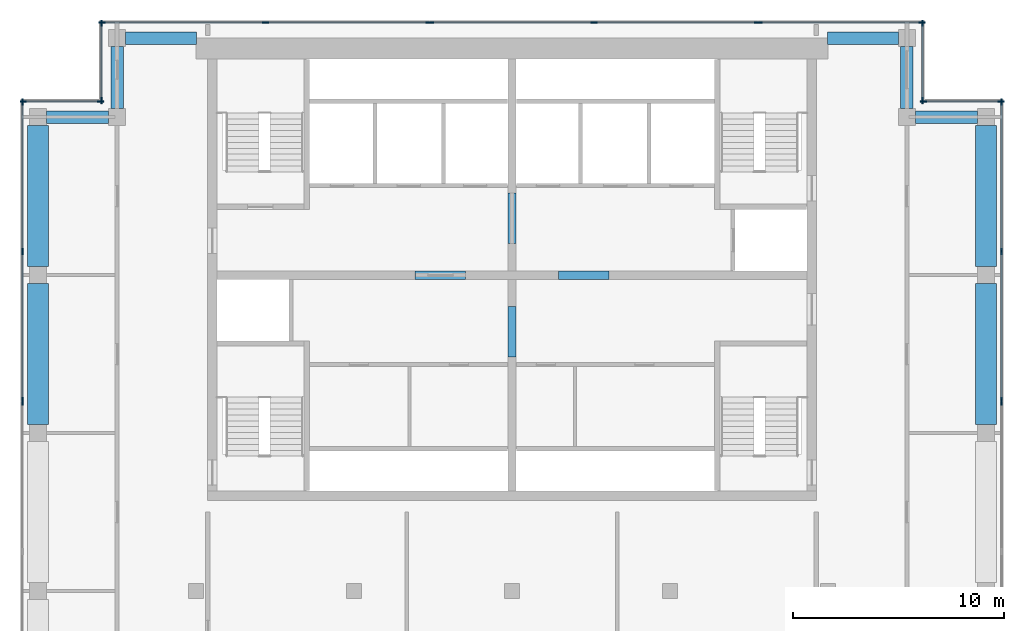
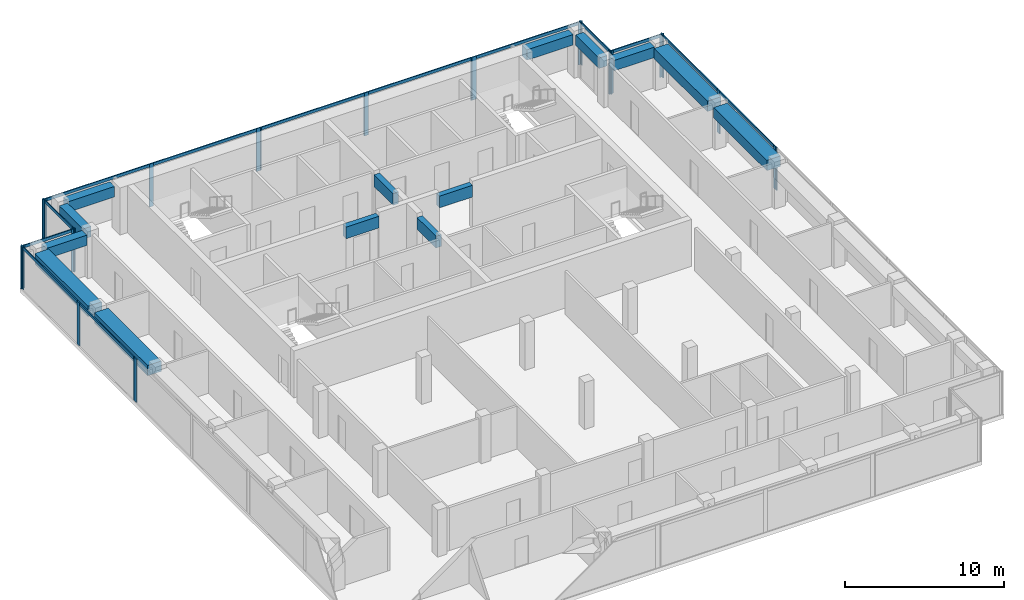
# One storey, part 4 of 9: 37 members, 14 beams, 11 elements without a shape of their own.
"""IFC4 building model written with IfcOpenShell, lengths in metres."""

from ifc_helpers import new_model, si_unit, direction, frame, origin, origin_2d, place, context, subcontext, project, spatial, rectangle, extrude, material, material_profile, profile_set, type_object, element, aggregate, save


model = new_model("IFC4")

# Units and contexts
model_context = context("Model", 3, precision=1e-05, world=origin(), true_north=direction((0.0, 1.0)))
body_context = subcontext(model_context, "Body", "Model", "MODEL_VIEW")
ifc_project = project(units=[si_unit("LENGTHUNIT", "METRE"), si_unit("AREAUNIT", "SQUARE_METRE"), si_unit("VOLUMEUNIT", "CUBIC_METRE"), si_unit("PLANEANGLEUNIT", "RADIAN"), si_unit("MASSUNIT", "GRAM", prefix="KILO")], contexts=[model_context])

# Site, building, storey
site_placement = place(None, origin())
site = spatial("IfcSite", under=ifc_project, at=site_placement, CompositionType="ELEMENT")
building_placement = place(site_placement, origin())
building = spatial("IfcBuilding", under=site, at=building_placement, Name="Pilkhan Gate Tower", CompositionType="ELEMENT")
storey_placement = place(building_placement, frame((0.0, 0.0, 262.10009765625)))
storey = spatial("IfcBuildingStorey", under=building, at=storey_placement, Name="L68", CompositionType="ELEMENT", Elevation=262.10009765625)

# Beams
ifc_material_1 = material(Name="Concrete C50/60", Category="concrete")
ifc_material_profile_1 = material_profile(ifc_material_1, rectangle(XDim=0.39990234375, YDim=0.89990234375, at=origin_2d()), Name="RC 400x900")
ifc_profile_set_1 = profile_set([ifc_material_profile_1], Name="Concrete C50/60")
beam_type_1 = type_object("IfcBeamType", Name="Coupling beam CB90-4 RC 400x900 C50/60", PredefinedType="LINTEL", material=ifc_profile_set_1)
for number, where, z_axis, x_axis, name in (
    (1, (70.39990234375, 82.5, 2.849853515625), (1.0, 0.0, 0.0), (0.0, 1.0, 0.0), "Coupling beam 1 L68"),
    (2, (77.199951171875, 82.5, 2.849853515625), (1.0, 0.0, 0.0), (0.0, 1.0, 0.0), "Coupling beam 2 L68"),
):
    element("IfcBeam", number, at=place(storey_placement, frame(where, z_axis=z_axis, x_axis=x_axis)), inside=storey, type_object=beam_type_1, Name=name, PredefinedType="LINTEL", context=body_context, shape_type="SweptSolid", body=[
        extrude(rectangle(XDim=0.39990234375, YDim=0.89990234375, at=origin_2d()), origin(), (0.0, 0.0, 1.0), 2.400146484375),
    ])
for number, where, z_axis, x_axis, name in (
    (3, (75.0, 78.60009765625, 2.849853515625), (0.0, 1.0, 0.0), (-1.0, 0.0, 0.0), "Coupling beam 3 L68"),
    (4, (75.0, 84.0, 2.849853515625), (0.0, 1.0, 0.0), (-1.0, 0.0, 0.0), "Coupling beam 4 L68"),
):
    element("IfcBeam", number, at=place(storey_placement, frame(where, z_axis=z_axis, x_axis=x_axis)), inside=storey, type_object=beam_type_1, Name=name, PredefinedType="LINTEL", context=body_context, shape_type="SweptSolid", body=[
        extrude(rectangle(XDim=0.39990234375, YDim=0.89990234375, at=origin_2d()), origin(), (0.0, 0.0, 1.0), 2.39990234375),
    ])

# Curtain wall, member
ifc_material_2 = material(Name="Pale anodised aluminium, clear low-iron double glazing", Category="aluminium")
curtain_wall_type = type_object("IfcCurtainWallType", Name="Crown unitised curtain wall CW-C", PredefinedType="USERDEFINED", material=ifc_material_2)
curtain_wall_1_placement = place(storey_placement, origin())
curtain_wall_1 = element("IfcCurtainWall", 5, at=curtain_wall_1_placement, inside=storey, type_object=curtain_wall_type, Name="Crown unitised curtain wall CW-C L68 E", ObjectType="UNITISED CURTAIN WALL", PredefinedType="USERDEFINED")
ifc_material_3 = material(Name="Pale anodised aluminium", Category="aluminium")
ifc_material_profile_2 = material_profile(ifc_material_3, rectangle(XDim=0.074951171875, YDim=0.300048828125, at=origin_2d()), Name="Mullion 300x75")
ifc_profile_set_2 = profile_set([ifc_material_profile_2], Name="Pale anodised aluminium")
member_type_1 = type_object("IfcMemberType", Name="Mullion CW-C 300x75", PredefinedType="MULLION", material=ifc_profile_set_2)
member_1_placement = place(storey_placement, frame((98.25, 76.46240234375, 0.0), z_axis=(0.0, 0.0, 1.0), x_axis=(-1.0, 0.0, 0.0)))
member_1 = element("IfcMember", 6, at=member_1_placement, type_object=member_type_1, Name="CW-C mullion 3", PredefinedType="MULLION", context=body_context, shape_type="SweptSolid", body=[
    extrude(rectangle(XDim=0.074951171875, YDim=0.300048828125, at=origin_2d()), origin(), (0.0, 0.0, 1.0), 3.2998046875),
])
aggregate(curtain_wall_1, [member_1])

# Curtain wall, members
curtain_wall_2_placement = place(storey_placement, origin())
curtain_wall_2 = element("IfcCurtainWall", 7, at=curtain_wall_2_placement, inside=storey, type_object=curtain_wall_type, Name="Crown unitised curtain wall CW-C L68 E", ObjectType="UNITISED CURTAIN WALL", PredefinedType="USERDEFINED")
member_2_placement = place(storey_placement, frame((98.25, 76.53759765625, 0.0), z_axis=(0.0, 0.0, 1.0), x_axis=(-1.0, 0.0, 0.0)))
member_2 = element("IfcMember", 8, at=member_2_placement, type_object=member_type_1, Name="CW-C mullion 1", PredefinedType="MULLION", context=body_context, shape_type="SweptSolid", body=[
    extrude(rectangle(XDim=0.074951171875, YDim=0.300048828125, at=origin_2d()), origin(), (0.0, 0.0, 1.0), 3.2998046875),
])
member_3_placement = place(storey_placement, frame((98.25, 83.625, 0.0), z_axis=(0.0, 0.0, 1.0), x_axis=(-1.0, 0.0, 0.0)))
member_3 = element("IfcMember", 9, at=member_3_placement, type_object=member_type_1, Name="CW-C mullion 2", PredefinedType="MULLION", context=body_context, shape_type="SweptSolid", body=[
    extrude(rectangle(XDim=0.074951171875, YDim=0.300048828125, at=origin_2d()), origin(), (0.0, 0.0, 1.0), 3.2998046875),
])
member_4_placement = place(storey_placement, frame((98.25, 90.71240234375, 0.0), z_axis=(0.0, 0.0, 1.0), x_axis=(-1.0, 0.0, 0.0)))
member_4 = element("IfcMember", 10, at=member_4_placement, type_object=member_type_1, Name="CW-C mullion 3", PredefinedType="MULLION", context=body_context, shape_type="SweptSolid", body=[
    extrude(rectangle(XDim=0.074951171875, YDim=0.300048828125, at=origin_2d()), origin(), (0.0, 0.0, 1.0), 3.2998046875),
])

curtain_wall_3_placement = place(storey_placement, origin())
curtain_wall_3 = element("IfcCurtainWall", 11, at=curtain_wall_3_placement, inside=storey, type_object=curtain_wall_type, Name="Crown unitised curtain wall CW-C L68 N", ObjectType="UNITISED CURTAIN WALL", PredefinedType="USERDEFINED")
member_5_placement = place(storey_placement, frame((94.53759765625, 90.75, 0.0), z_axis=(0.0, 0.0, 1.0), x_axis=(0.0, 1.0, 0.0)))
member_5 = element("IfcMember", 12, at=member_5_placement, type_object=member_type_1, Name="CW-C mullion 1", PredefinedType="MULLION", context=body_context, shape_type="SweptSolid", body=[
    extrude(rectangle(XDim=0.074951171875, YDim=0.300048828125, at=origin_2d()), origin(), (0.0, 0.0, 1.0), 3.2998046875),
])
member_6_placement = place(storey_placement, frame((98.21240234375, 90.75, 0.0), z_axis=(0.0, 0.0, 1.0), x_axis=(0.0, 1.0, 0.0)))
member_6 = element("IfcMember", 13, at=member_6_placement, type_object=member_type_1, Name="CW-C mullion 2", PredefinedType="MULLION", context=body_context, shape_type="SweptSolid", body=[
    extrude(rectangle(XDim=0.074951171875, YDim=0.300048828125, at=origin_2d()), origin(), (0.0, 0.0, 1.0), 3.2998046875),
])

curtain_wall_4_placement = place(storey_placement, origin())
curtain_wall_4 = element("IfcCurtainWall", 14, at=curtain_wall_4_placement, inside=storey, type_object=curtain_wall_type, Name="Crown unitised curtain wall CW-C L68 E", ObjectType="UNITISED CURTAIN WALL", PredefinedType="USERDEFINED")
member_7_placement = place(storey_placement, frame((94.5, 90.78759765625, 0.0), z_axis=(0.0, 0.0, 1.0), x_axis=(-1.0, 0.0, 0.0)))
member_7 = element("IfcMember", 15, at=member_7_placement, type_object=member_type_1, Name="CW-C mullion 1", PredefinedType="MULLION", context=body_context, shape_type="SweptSolid", body=[
    extrude(rectangle(XDim=0.074951171875, YDim=0.300048828125, at=origin_2d()), origin(), (0.0, 0.0, 1.0), 3.2998046875),
])
member_8_placement = place(storey_placement, frame((94.5, 94.46240234375, 0.0), z_axis=(0.0, 0.0, 1.0), x_axis=(-1.0, 0.0, 0.0)))
member_8 = element("IfcMember", 16, at=member_8_placement, type_object=member_type_1, Name="CW-C mullion 2", PredefinedType="MULLION", context=body_context, shape_type="SweptSolid", body=[
    extrude(rectangle(XDim=0.074951171875, YDim=0.300048828125, at=origin_2d()), origin(), (0.0, 0.0, 1.0), 3.2998046875),
])

curtain_wall_5_placement = place(storey_placement, origin())
curtain_wall_5 = element("IfcCurtainWall", 17, at=curtain_wall_5_placement, inside=storey, type_object=curtain_wall_type, Name="Crown unitised curtain wall CW-C L68 N", ObjectType="UNITISED CURTAIN WALL", PredefinedType="USERDEFINED")
member_9_placement = place(storey_placement, frame((55.53759765625, 94.5, 0.0), z_axis=(0.0, 0.0, 1.0), x_axis=(0.0, 1.0, 0.0)))
member_9 = element("IfcMember", 18, at=member_9_placement, type_object=member_type_1, Name="CW-C mullion 1", PredefinedType="MULLION", context=body_context, shape_type="SweptSolid", body=[
    extrude(rectangle(XDim=0.074951171875, YDim=0.300048828125, at=origin_2d()), origin(), (0.0, 0.0, 1.0), 3.2998046875),
])
member_10_placement = place(storey_placement, frame((63.300048828125, 94.5, 0.0), z_axis=(0.0, 0.0, 1.0), x_axis=(0.0, 1.0, 0.0)))
member_10 = element("IfcMember", 19, at=member_10_placement, type_object=member_type_1, Name="CW-C mullion 2", PredefinedType="MULLION", context=body_context, shape_type="SweptSolid", body=[
    extrude(rectangle(XDim=0.074951171875, YDim=0.300048828125, at=origin_2d()), origin(), (0.0, 0.0, 1.0), 3.2998046875),
])
member_11_placement = place(storey_placement, frame((71.0625, 94.5, 0.0), z_axis=(0.0, 0.0, 1.0), x_axis=(0.0, 1.0, 0.0)))
member_11 = element("IfcMember", 20, at=member_11_placement, type_object=member_type_1, Name="CW-C mullion 3", PredefinedType="MULLION", context=body_context, shape_type="SweptSolid", body=[
    extrude(rectangle(XDim=0.074951171875, YDim=0.300048828125, at=origin_2d()), origin(), (0.0, 0.0, 1.0), 3.2998046875),
])

curtain_wall_6_placement = place(storey_placement, origin())
curtain_wall_6 = element("IfcCurtainWall", 21, at=curtain_wall_6_placement, inside=storey, type_object=curtain_wall_type, Name="Crown unitised curtain wall CW-C L68 N", ObjectType="UNITISED CURTAIN WALL", PredefinedType="USERDEFINED")
member_12_placement = place(storey_placement, frame((71.137451171875, 94.5, 0.0), z_axis=(0.0, 0.0, 1.0), x_axis=(0.0, 1.0, 0.0)))
member_12 = element("IfcMember", 22, at=member_12_placement, type_object=member_type_1, Name="CW-C mullion 1", PredefinedType="MULLION", context=body_context, shape_type="SweptSolid", body=[
    extrude(rectangle(XDim=0.074951171875, YDim=0.300048828125, at=origin_2d()), origin(), (0.0, 0.0, 1.0), 3.2998046875),
])
member_13_placement = place(storey_placement, frame((78.89990234375, 94.5, 0.0), z_axis=(0.0, 0.0, 1.0), x_axis=(0.0, 1.0, 0.0)))
member_13 = element("IfcMember", 23, at=member_13_placement, type_object=member_type_1, Name="CW-C mullion 2", PredefinedType="MULLION", context=body_context, shape_type="SweptSolid", body=[
    extrude(rectangle(XDim=0.074951171875, YDim=0.300048828125, at=origin_2d()), origin(), (0.0, 0.0, 1.0), 3.2998046875),
])
member_14_placement = place(storey_placement, frame((86.66259765625, 94.5, 0.0), z_axis=(0.0, 0.0, 1.0), x_axis=(0.0, 1.0, 0.0)))
member_14 = element("IfcMember", 24, at=member_14_placement, type_object=member_type_1, Name="CW-C mullion 3", PredefinedType="MULLION", context=body_context, shape_type="SweptSolid", body=[
    extrude(rectangle(XDim=0.074951171875, YDim=0.300048828125, at=origin_2d()), origin(), (0.0, 0.0, 1.0), 3.2998046875),
])

curtain_wall_7_placement = place(storey_placement, origin())
curtain_wall_7 = element("IfcCurtainWall", 25, at=curtain_wall_7_placement, inside=storey, type_object=curtain_wall_type, Name="Crown unitised curtain wall CW-C L68 N", ObjectType="UNITISED CURTAIN WALL", PredefinedType="USERDEFINED")
member_15_placement = place(storey_placement, frame((86.737548828125, 94.5, 0.0), z_axis=(0.0, 0.0, 1.0), x_axis=(0.0, 1.0, 0.0)))
member_15 = element("IfcMember", 26, at=member_15_placement, type_object=member_type_1, Name="CW-C mullion 1", PredefinedType="MULLION", context=body_context, shape_type="SweptSolid", body=[
    extrude(rectangle(XDim=0.074951171875, YDim=0.300048828125, at=origin_2d()), origin(), (0.0, 0.0, 1.0), 3.2998046875),
])
member_16_placement = place(storey_placement, frame((94.46240234375, 94.5, 0.0), z_axis=(0.0, 0.0, 1.0), x_axis=(0.0, 1.0, 0.0)))
member_16 = element("IfcMember", 27, at=member_16_placement, type_object=member_type_1, Name="CW-C mullion 2", PredefinedType="MULLION", context=body_context, shape_type="SweptSolid", body=[
    extrude(rectangle(XDim=0.074951171875, YDim=0.300048828125, at=origin_2d()), origin(), (0.0, 0.0, 1.0), 3.2998046875),
])

curtain_wall_8_placement = place(storey_placement, origin())
curtain_wall_8 = element("IfcCurtainWall", 28, at=curtain_wall_8_placement, inside=storey, type_object=curtain_wall_type, Name="Crown unitised curtain wall CW-C L68 W", ObjectType="UNITISED CURTAIN WALL", PredefinedType="USERDEFINED")
member_17_placement = place(storey_placement, frame((55.5, 90.78759765625, 0.0), z_axis=(0.0, 0.0, 1.0), x_axis=(-1.0, 0.0, 0.0)))
member_17 = element("IfcMember", 29, at=member_17_placement, type_object=member_type_1, Name="CW-C mullion 1", PredefinedType="MULLION", context=body_context, shape_type="SweptSolid", body=[
    extrude(rectangle(XDim=0.074951171875, YDim=0.300048828125, at=origin_2d()), origin(), (0.0, 0.0, 1.0), 3.2998046875),
])
member_18_placement = place(storey_placement, frame((55.5, 94.46240234375, 0.0), z_axis=(0.0, 0.0, 1.0), x_axis=(-1.0, 0.0, 0.0)))
member_18 = element("IfcMember", 30, at=member_18_placement, type_object=member_type_1, Name="CW-C mullion 2", PredefinedType="MULLION", context=body_context, shape_type="SweptSolid", body=[
    extrude(rectangle(XDim=0.074951171875, YDim=0.300048828125, at=origin_2d()), origin(), (0.0, 0.0, 1.0), 3.2998046875),
])

curtain_wall_9_placement = place(storey_placement, origin())
curtain_wall_9 = element("IfcCurtainWall", 31, at=curtain_wall_9_placement, inside=storey, type_object=curtain_wall_type, Name="Crown unitised curtain wall CW-C L68 N", ObjectType="UNITISED CURTAIN WALL", PredefinedType="USERDEFINED")
member_19_placement = place(storey_placement, frame((51.78759765625, 90.75, 0.0), z_axis=(0.0, 0.0, 1.0), x_axis=(0.0, 1.0, 0.0)))
member_19 = element("IfcMember", 32, at=member_19_placement, type_object=member_type_1, Name="CW-C mullion 1", PredefinedType="MULLION", context=body_context, shape_type="SweptSolid", body=[
    extrude(rectangle(XDim=0.074951171875, YDim=0.300048828125, at=origin_2d()), origin(), (0.0, 0.0, 1.0), 3.2998046875),
])
member_20_placement = place(storey_placement, frame((55.46240234375, 90.75, 0.0), z_axis=(0.0, 0.0, 1.0), x_axis=(0.0, 1.0, 0.0)))
member_20 = element("IfcMember", 33, at=member_20_placement, type_object=member_type_1, Name="CW-C mullion 2", PredefinedType="MULLION", context=body_context, shape_type="SweptSolid", body=[
    extrude(rectangle(XDim=0.074951171875, YDim=0.300048828125, at=origin_2d()), origin(), (0.0, 0.0, 1.0), 3.2998046875),
])

# Curtain wall, member
curtain_wall_10_placement = place(storey_placement, origin())
curtain_wall_10 = element("IfcCurtainWall", 34, at=curtain_wall_10_placement, inside=storey, type_object=curtain_wall_type, Name="Crown unitised curtain wall CW-C L68 W", ObjectType="UNITISED CURTAIN WALL", PredefinedType="USERDEFINED")
member_21_placement = place(storey_placement, frame((51.75, 76.46240234375, 0.0), z_axis=(0.0, 0.0, 1.0), x_axis=(-1.0, 0.0, 0.0)))
member_21 = element("IfcMember", 35, at=member_21_placement, type_object=member_type_1, Name="CW-C mullion 3", PredefinedType="MULLION", context=body_context, shape_type="SweptSolid", body=[
    extrude(rectangle(XDim=0.074951171875, YDim=0.300048828125, at=origin_2d()), origin(), (0.0, 0.0, 1.0), 3.2998046875),
])
aggregate(curtain_wall_10, [member_21])

# Curtain wall, members
curtain_wall_11_placement = place(storey_placement, origin())
curtain_wall_11 = element("IfcCurtainWall", 36, at=curtain_wall_11_placement, inside=storey, type_object=curtain_wall_type, Name="Crown unitised curtain wall CW-C L68 W", ObjectType="UNITISED CURTAIN WALL", PredefinedType="USERDEFINED")
member_22_placement = place(storey_placement, frame((51.75, 76.53759765625, 0.0), z_axis=(0.0, 0.0, 1.0), x_axis=(-1.0, 0.0, 0.0)))
member_22 = element("IfcMember", 37, at=member_22_placement, type_object=member_type_1, Name="CW-C mullion 1", PredefinedType="MULLION", context=body_context, shape_type="SweptSolid", body=[
    extrude(rectangle(XDim=0.074951171875, YDim=0.300048828125, at=origin_2d()), origin(), (0.0, 0.0, 1.0), 3.2998046875),
])
member_23_placement = place(storey_placement, frame((51.75, 83.625, 0.0), z_axis=(0.0, 0.0, 1.0), x_axis=(-1.0, 0.0, 0.0)))
member_23 = element("IfcMember", 38, at=member_23_placement, type_object=member_type_1, Name="CW-C mullion 2", PredefinedType="MULLION", context=body_context, shape_type="SweptSolid", body=[
    extrude(rectangle(XDim=0.074951171875, YDim=0.300048828125, at=origin_2d()), origin(), (0.0, 0.0, 1.0), 3.2998046875),
])
member_24_placement = place(storey_placement, frame((51.75, 90.71240234375, 0.0), z_axis=(0.0, 0.0, 1.0), x_axis=(-1.0, 0.0, 0.0)))
member_24 = element("IfcMember", 39, at=member_24_placement, type_object=member_type_1, Name="CW-C mullion 3", PredefinedType="MULLION", context=body_context, shape_type="SweptSolid", body=[
    extrude(rectangle(XDim=0.074951171875, YDim=0.300048828125, at=origin_2d()), origin(), (0.0, 0.0, 1.0), 3.2998046875),
])

# Beams
ifc_material_profile_3 = material_profile(ifc_material_1, rectangle(XDim=0.60009765625, YDim=0.800048828125, at=origin_2d()), Name="RC 600x800")
ifc_profile_set_3 = profile_set([ifc_material_profile_3], Name="Concrete C50/60")
beam_type_2 = type_object("IfcBeamType", Name="Terrace edge beam TEB RC 600x800 C50/60", PredefinedType="BEAM", material=ifc_profile_set_3)
for number, where, z_axis, x_axis, name in (
    (40, (52.89990234375, 90.0, 2.89990234375), (1.0, 0.0, 0.0), (0.0, 1.0, 0.0), "Terrace edge beam 13 L69"),
    (41, (56.25, 90.39990234375, 2.89990234375), (0.0, 1.0, 0.0), (-1.0, 0.0, 0.0), "Terrace edge beam 14 L69"),
    (42, (93.75, 93.35009765625, 2.89990234375), (0.0, -1.0, 0.0), (1.0, 0.0, 0.0), "Terrace edge beam 15 L69"),
    (43, (94.14990234375, 90.0, 2.89990234375), (1.0, 0.0, 0.0), (0.0, 1.0, 0.0), "Terrace edge beam 16 L69"),
):
    element("IfcBeam", number, at=place(storey_placement, frame(where, z_axis=z_axis, x_axis=x_axis)), inside=storey, type_object=beam_type_2, Name=name, PredefinedType="BEAM", context=body_context, shape_type="SweptSolid", body=[
        extrude(rectangle(XDim=0.60009765625, YDim=0.800048828125, at=origin_2d()), origin(), (0.0, 0.0, 1.0), 2.9501953125),
    ])
ifc_material_profile_4 = material_profile(ifc_material_1, rectangle(XDim=1.0, YDim=0.800048828125, at=origin_2d()), Name="RC 1000x800")
ifc_profile_set_4 = profile_set([ifc_material_profile_4], Name="Concrete C50/60")
beam_type_3 = type_object("IfcBeamType", Name="Terrace edge beam TEB10W RC 1000x800 C50/60", PredefinedType="BEAM", material=ifc_profile_set_4)
for number, where, z_axis, x_axis, name in (
    (44, (52.5, 75.39990234375, 2.89990234375), (0.0, 1.0, 0.0), (-1.0, 0.0, 0.0), "Terrace edge beam 11 L69"),
    (45, (52.5, 82.89990234375, 2.89990234375), (0.0, 1.0, 0.0), (-1.0, 0.0, 0.0), "Terrace edge beam 12 L69"),
    (46, (97.5, 89.60009765625, 2.89990234375), (0.0, -1.0, 0.0), (1.0, 0.0, 0.0), "Terrace edge beam 17 L69"),
    (47, (97.5, 82.10009765625, 2.89990234375), (0.0, -1.0, 0.0), (1.0, 0.0, 0.0), "Terrace edge beam 18 L69"),
):
    element("IfcBeam", number, at=place(storey_placement, frame(where, z_axis=z_axis, x_axis=x_axis)), inside=storey, type_object=beam_type_3, Name=name, PredefinedType="BEAM", context=body_context, shape_type="SweptSolid", body=[
        extrude(rectangle(XDim=1.0, YDim=0.800048828125, at=origin_2d()), origin(), (0.0, 0.0, 1.0), 6.7001953125),
    ])
ifc_material_profile_5 = material_profile(ifc_material_1, rectangle(XDim=0.60009765625, YDim=0.800048828125, at=origin_2d()), Name="RC 600x800")
ifc_profile_set_5 = profile_set([ifc_material_profile_5], Name="Concrete C50/60")
beam_type_4 = type_object("IfcBeamType", Name="Terrace tie beam TTB RC 600x800 C50/60", PredefinedType="BEAM", material=ifc_profile_set_5)
for number, where, z_axis, x_axis, name in (
    (48, (56.64990234375, 93.75, 2.89990234375), (1.0, 0.0, 0.0), (0.0, 1.0, 0.0), "Terrace tie beam 1 L69"),
    (49, (93.35009765625, 93.75, 2.89990234375), (-1.0, 0.0, 0.0), (0.0, -1.0, 0.0), "Terrace tie beam 2 L69"),
):
    element("IfcBeam", number, at=place(storey_placement, frame(where, z_axis=z_axis, x_axis=x_axis)), inside=storey, type_object=beam_type_4, Name=name, PredefinedType="BEAM", context=body_context, shape_type="SweptSolid", body=[
        extrude(rectangle(XDim=0.60009765625, YDim=0.800048828125, at=origin_2d()), origin(), (0.0, 0.0, 1.0), 3.3701171875),
    ])

# Member
ifc_material_profile_6 = material_profile(ifc_material_3, rectangle(XDim=0.074951171875, YDim=0.219970703125, at=origin_2d()), Name="Transom 220x75")
ifc_profile_set_6 = profile_set([ifc_material_profile_6], Name="Pale anodised aluminium")
member_type_2 = type_object("IfcMemberType", Name="Transom CW-C 220x75", PredefinedType="USERDEFINED", material=ifc_profile_set_6)
member_25_placement = place(storey_placement, frame((98.25, 76.574951171875, 3.18994140625), z_axis=(0.0, 1.0, 0.0), x_axis=(-1.0, 0.0, 0.0)))
member_25 = element("IfcMember", 50, at=member_25_placement, type_object=member_type_2, Name="CW-C transom 1", ObjectType="TRANSOM", PredefinedType="USERDEFINED", context=body_context, shape_type="SweptSolid", body=[
    extrude(rectangle(XDim=0.074951171875, YDim=0.219970703125, at=origin_2d()), origin(), (0.0, 0.0, 1.0), 7.012451171875),
])

member_26_placement = place(storey_placement, frame((98.25, 83.66259765625, 3.18994140625), z_axis=(0.0, 1.0, 0.0), x_axis=(-1.0, 0.0, 0.0)))
member_26 = element("IfcMember", 51, at=member_26_placement, type_object=member_type_2, Name="CW-C transom 2", ObjectType="TRANSOM", PredefinedType="USERDEFINED", context=body_context, shape_type="SweptSolid", body=[
    extrude(rectangle(XDim=0.074951171875, YDim=0.219970703125, at=origin_2d()), origin(), (0.0, 0.0, 1.0), 7.012451171875),
])

aggregate(curtain_wall_2, [member_2, member_3, member_4, member_25, member_26])

member_27_placement = place(storey_placement, frame((94.574951171875, 90.75, 3.18994140625), z_axis=(1.0, 0.0, 0.0), x_axis=(0.0, 1.0, 0.0)))
member_27 = element("IfcMember", 52, at=member_27_placement, type_object=member_type_2, Name="CW-C transom 1", ObjectType="TRANSOM", PredefinedType="USERDEFINED", context=body_context, shape_type="SweptSolid", body=[
    extrude(rectangle(XDim=0.074951171875, YDim=0.219970703125, at=origin_2d()), origin(), (0.0, 0.0, 1.0), 3.60009765625),
])

aggregate(curtain_wall_3, [member_5, member_6, member_27])

member_28_placement = place(storey_placement, frame((94.5, 90.824951171875, 3.18994140625), z_axis=(0.0, 1.0, 0.0), x_axis=(-1.0, 0.0, 0.0)))
member_28 = element("IfcMember", 53, at=member_28_placement, type_object=member_type_2, Name="CW-C transom 1", ObjectType="TRANSOM", PredefinedType="USERDEFINED", context=body_context, shape_type="SweptSolid", body=[
    extrude(rectangle(XDim=0.074951171875, YDim=0.219970703125, at=origin_2d()), origin(), (0.0, 0.0, 1.0), 3.60009765625),
])

aggregate(curtain_wall_4, [member_7, member_8, member_28])

member_29_placement = place(storey_placement, frame((55.574951171875, 94.5, 3.18994140625), z_axis=(1.0, 0.0, 0.0), x_axis=(0.0, 1.0, 0.0)))
member_29 = element("IfcMember", 54, at=member_29_placement, type_object=member_type_2, Name="CW-C transom 1", ObjectType="TRANSOM", PredefinedType="USERDEFINED", context=body_context, shape_type="SweptSolid", body=[
    extrude(rectangle(XDim=0.074951171875, YDim=0.219970703125, at=origin_2d()), origin(), (0.0, 0.0, 1.0), 7.6875),
])

member_30_placement = place(storey_placement, frame((63.33740234375, 94.5, 3.18994140625), z_axis=(1.0, 0.0, 0.0), x_axis=(0.0, 1.0, 0.0)))
member_30 = element("IfcMember", 55, at=member_30_placement, type_object=member_type_2, Name="CW-C transom 2", ObjectType="TRANSOM", PredefinedType="USERDEFINED", context=body_context, shape_type="SweptSolid", body=[
    extrude(rectangle(XDim=0.074951171875, YDim=0.219970703125, at=origin_2d()), origin(), (0.0, 0.0, 1.0), 7.6875),
])

aggregate(curtain_wall_5, [member_9, member_10, member_11, member_29, member_30])

member_31_placement = place(storey_placement, frame((71.175048828125, 94.5, 3.18994140625), z_axis=(1.0, 0.0, 0.0), x_axis=(0.0, 1.0, 0.0)))
member_31 = element("IfcMember", 56, at=member_31_placement, type_object=member_type_2, Name="CW-C transom 1", ObjectType="TRANSOM", PredefinedType="USERDEFINED", context=body_context, shape_type="SweptSolid", body=[
    extrude(rectangle(XDim=0.074951171875, YDim=0.219970703125, at=origin_2d()), origin(), (0.0, 0.0, 1.0), 7.6875),
])

member_32_placement = place(storey_placement, frame((78.9375, 94.5, 3.18994140625), z_axis=(1.0, 0.0, 0.0), x_axis=(0.0, 1.0, 0.0)))
member_32 = element("IfcMember", 57, at=member_32_placement, type_object=member_type_2, Name="CW-C transom 2", ObjectType="TRANSOM", PredefinedType="USERDEFINED", context=body_context, shape_type="SweptSolid", body=[
    extrude(rectangle(XDim=0.074951171875, YDim=0.219970703125, at=origin_2d()), origin(), (0.0, 0.0, 1.0), 7.6875),
])

aggregate(curtain_wall_6, [member_12, member_13, member_14, member_31, member_32])

member_33_placement = place(storey_placement, frame((86.77490234375, 94.5, 3.18994140625), z_axis=(1.0, 0.0, 0.0), x_axis=(0.0, 1.0, 0.0)))
member_33 = element("IfcMember", 58, at=member_33_placement, type_object=member_type_2, Name="CW-C transom 1", ObjectType="TRANSOM", PredefinedType="USERDEFINED", context=body_context, shape_type="SweptSolid", body=[
    extrude(rectangle(XDim=0.074951171875, YDim=0.219970703125, at=origin_2d()), origin(), (0.0, 0.0, 1.0), 7.650146484375),
])

aggregate(curtain_wall_7, [member_15, member_16, member_33])

member_34_placement = place(storey_placement, frame((55.5, 90.824951171875, 3.18994140625), z_axis=(0.0, 1.0, 0.0), x_axis=(-1.0, 0.0, 0.0)))
member_34 = element("IfcMember", 59, at=member_34_placement, type_object=member_type_2, Name="CW-C transom 1", ObjectType="TRANSOM", PredefinedType="USERDEFINED", context=body_context, shape_type="SweptSolid", body=[
    extrude(rectangle(XDim=0.074951171875, YDim=0.219970703125, at=origin_2d()), origin(), (0.0, 0.0, 1.0), 3.60009765625),
])

aggregate(curtain_wall_8, [member_17, member_18, member_34])

member_35_placement = place(storey_placement, frame((51.824951171875, 90.75, 3.18994140625), z_axis=(1.0, 0.0, 0.0), x_axis=(0.0, 1.0, 0.0)))
member_35 = element("IfcMember", 60, at=member_35_placement, type_object=member_type_2, Name="CW-C transom 1", ObjectType="TRANSOM", PredefinedType="USERDEFINED", context=body_context, shape_type="SweptSolid", body=[
    extrude(rectangle(XDim=0.074951171875, YDim=0.219970703125, at=origin_2d()), origin(), (0.0, 0.0, 1.0), 3.60009765625),
])

aggregate(curtain_wall_9, [member_19, member_20, member_35])

member_36_placement = place(storey_placement, frame((51.75, 76.574951171875, 3.18994140625), z_axis=(0.0, 1.0, 0.0), x_axis=(-1.0, 0.0, 0.0)))
member_36 = element("IfcMember", 61, at=member_36_placement, type_object=member_type_2, Name="CW-C transom 1", ObjectType="TRANSOM", PredefinedType="USERDEFINED", context=body_context, shape_type="SweptSolid", body=[
    extrude(rectangle(XDim=0.074951171875, YDim=0.219970703125, at=origin_2d()), origin(), (0.0, 0.0, 1.0), 7.012451171875),
])

member_37_placement = place(storey_placement, frame((51.75, 83.66259765625, 3.18994140625), z_axis=(0.0, 1.0, 0.0), x_axis=(-1.0, 0.0, 0.0)))
member_37 = element("IfcMember", 62, at=member_37_placement, type_object=member_type_2, Name="CW-C transom 2", ObjectType="TRANSOM", PredefinedType="USERDEFINED", context=body_context, shape_type="SweptSolid", body=[
    extrude(rectangle(XDim=0.074951171875, YDim=0.219970703125, at=origin_2d()), origin(), (0.0, 0.0, 1.0), 7.012451171875),
])

aggregate(curtain_wall_11, [member_22, member_23, member_24, member_36, member_37])

save(model, "model.ifc")
